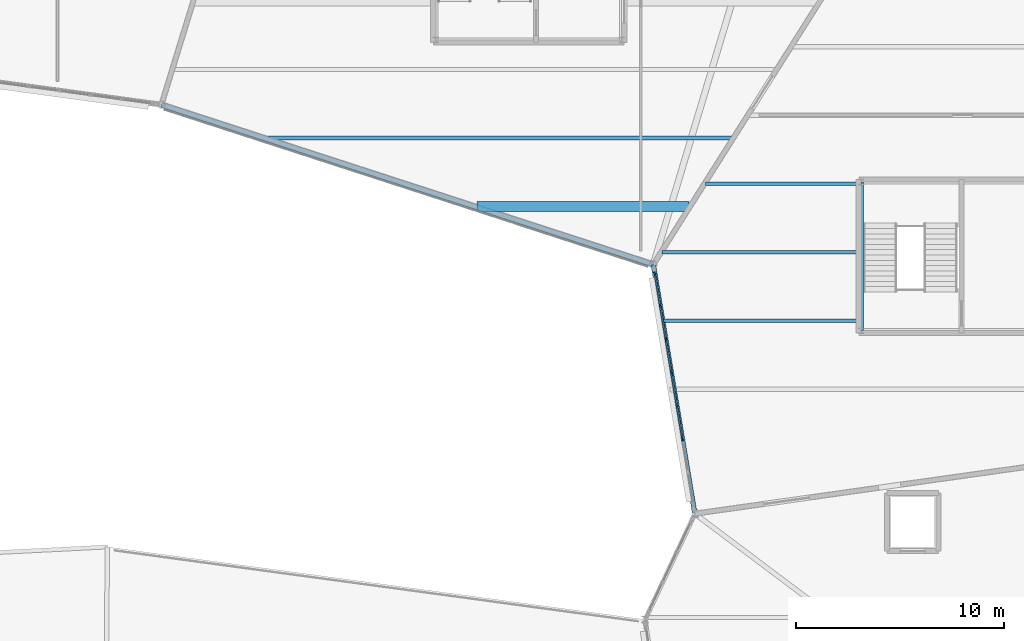
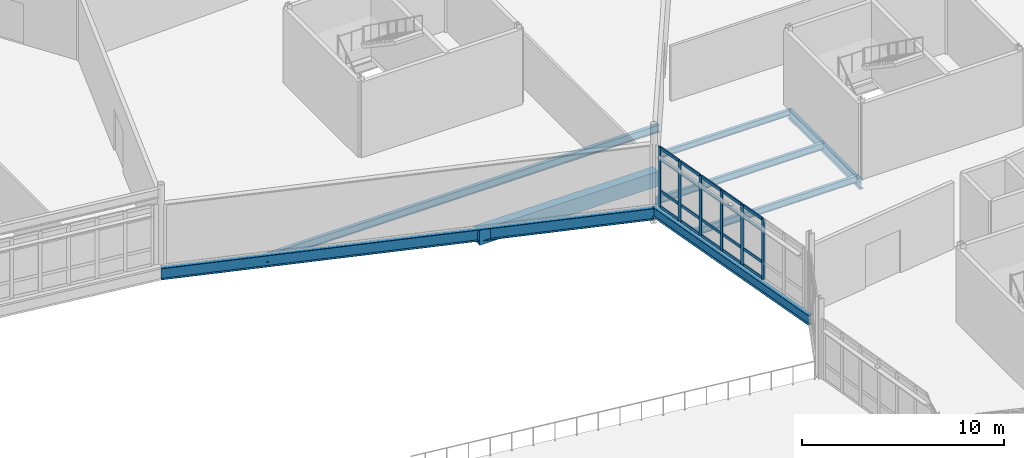
# One storey, part 28 of 114: 26 members, 8 beams, 1 element without a shape of its own.
"""IFC4 building model written with IfcOpenShell, lengths in metres."""

from ifc_helpers import new_model, si_unit, direction, frame, origin, origin_2d, place, context, subcontext, project, spatial, rectangle, i_section, extrude, material, material_profile, profile_set, type_object, element, aggregate, save


model = new_model("IFC4")

# Units and contexts
model_context = context("Model", 3, precision=1e-05, world=origin(), true_north=direction((0.0, 1.0)))
body_context = subcontext(model_context, "Body", "Model", "MODEL_VIEW")
ifc_project = project(units=[si_unit("LENGTHUNIT", "METRE"), si_unit("AREAUNIT", "SQUARE_METRE"), si_unit("VOLUMEUNIT", "CUBIC_METRE"), si_unit("PLANEANGLEUNIT", "RADIAN"), si_unit("MASSUNIT", "GRAM", prefix="KILO")], contexts=[model_context])

# Site, building, storey
site_placement = place(None, origin())
site = spatial("IfcSite", under=ifc_project, at=site_placement, CompositionType="ELEMENT")
building_placement = place(site_placement, origin())
building = spatial("IfcBuilding", under=site, at=building_placement, Name="Tameran Prism Museum", CompositionType="ELEMENT")
storey_placement = place(building_placement, frame((0.0, 0.0, 10.199951171875)))
storey = spatial("IfcBuildingStorey", under=building, at=storey_placement, Name="L02", CompositionType="ELEMENT", Elevation=10.199951171875)

# Beams
ifc_material_1 = material(Name="Steel Grade 300PLUS (300 MPa)", Category="steel")
ifc_material_profile_1 = material_profile(ifc_material_1, i_section(OverallWidth=0.172119140625, OverallDepth=0.35888671875, WebThickness=0.008056640625, FlangeThickness=0.012939453125, FilletRadius=0.011474609375, at=origin_2d()))
ifc_profile_set_1 = profile_set([ifc_material_profile_1])
beam_type_1 = type_object("IfcBeamType", Name="BM-J360A", PredefinedType="JOIST", material=ifc_profile_set_1)
beam_1_placement = place(storey_placement, frame((52.513916015625, 60.5, -0.37939453125), z_axis=(1.0, 0.0, 0.0), x_axis=(0.0, 1.0, 0.0)))
element("IfcBeam", 1, at=beam_1_placement, inside=storey, type_object=beam_type_1, Name="Floor Beam BM-0867", PredefinedType="JOIST", context=body_context, shape_type="SweptSolid", body=[
    extrude(i_section(OverallWidth=0.172119140625, OverallDepth=0.35888671875, WebThickness=0.008056640625, FlangeThickness=0.012939453125, FilletRadius=0.011474609375, at=origin_2d()), origin(), (0.0, 0.0, 1.0), 7.506103515625),
])
ifc_material_2 = material(Name="Steel Grade 300PLUS (300 MPa)", Category="steel")
ifc_material_profile_2 = material_profile(ifc_material_2, i_section(OverallWidth=0.177978515625, OverallDepth=0.403076171875, WebThickness=0.007568359375, FlangeThickness=0.010986328125, FilletRadius=0.011474609375, at=origin_2d()))
ifc_profile_set_2 = profile_set([ifc_material_profile_2])
beam_type_2 = type_object("IfcBeamType", Name="BM-J410B", PredefinedType="JOIST", material=ifc_profile_set_2)
beam_2_placement = place(storey_placement, frame((50.490966796875, 53.89990234375, -0.4013671875), z_axis=(1.0, 0.0, 0.0), x_axis=(0.0, 1.0, 0.0)))
element("IfcBeam", 2, at=beam_2_placement, inside=storey, type_object=beam_type_2, Name="Floor Beam BM-0863", PredefinedType="JOIST", context=body_context, shape_type="SweptSolid", body=[
    extrude(i_section(OverallWidth=0.177978515625, OverallDepth=0.403076171875, WebThickness=0.007568359375, FlangeThickness=0.010986328125, FilletRadius=0.011474609375, at=origin_2d()), origin(), (0.0, 0.0, 1.0), 9.529052734375),
])
beam_3_placement = place(storey_placement, frame((50.427001953125, 57.199951171875, -0.4013671875), z_axis=(1.0, 0.0, 0.0), x_axis=(0.0, 1.0, 0.0)))
element("IfcBeam", 3, at=beam_3_placement, inside=storey, type_object=beam_type_2, Name="Floor Beam BM-0865", PredefinedType="JOIST", context=body_context, shape_type="SweptSolid", body=[
    extrude(i_section(OverallWidth=0.177978515625, OverallDepth=0.403076171875, WebThickness=0.007568359375, FlangeThickness=0.010986328125, FilletRadius=0.011474609375, at=origin_2d()), origin(), (0.0, 0.0, 1.0), 9.593017578125),
])
ifc_material_3 = material(Name="Steel Grade 300PLUS (300 MPa)", Category="steel")
ifc_material_profile_3 = material_profile(ifc_material_3, i_section(OverallWidth=0.19091796875, OverallDepth=0.4599609375, WebThickness=0.010009765625, FlangeThickness=0.01611328125, FilletRadius=0.011474609375, at=origin_2d()))
ifc_profile_set_3 = profile_set([ifc_material_profile_3])
beam_type_3 = type_object("IfcBeamType", Name="BM-J460A", PredefinedType="JOIST", material=ifc_profile_set_3)
beam_4_placement = place(storey_placement, frame((31.35400390625, 62.699951171875, -0.489990234375), z_axis=(1.0, 0.0, 0.0), x_axis=(0.0, 1.0, 0.0)))
element("IfcBeam", 4, at=beam_4_placement, inside=storey, type_object=beam_type_3, Name="Floor Beam BM-0906", PredefinedType="JOIST", context=body_context, shape_type="SweptSolid", body=[
    extrude(i_section(OverallWidth=0.19091796875, OverallDepth=0.4599609375, WebThickness=0.010009765625, FlangeThickness=0.01611328125, FilletRadius=0.011474609375, at=origin_2d()), origin(), (0.0, 0.0, 1.0), 22.45703125),
])
ifc_material_4 = material(Name="Concrete N40 (40 MPa)", Category="concrete")
ifc_material_profile_4 = material_profile(ifc_material_4, rectangle(XDim=0.5, YDim=0.89990234375, at=origin_2d()))
ifc_profile_set_4 = profile_set([ifc_material_profile_4])
beam_type_4 = type_object("IfcBeamType", Name="BM-RC900", PredefinedType="BEAM", material=ifc_profile_set_4)
beam_5_placement = place(storey_placement, frame((41.510986328125, 59.39990234375, -0.7099609375), z_axis=(1.0, 0.0, 0.0), x_axis=(0.0, 1.0, 0.0)))
element("IfcBeam", 5, at=beam_5_placement, inside=storey, type_object=beam_type_4, Name="Floor Beam BM-0905", PredefinedType="BEAM", context=body_context, shape_type="SweptSolid", body=[
    extrude(rectangle(XDim=0.5, YDim=0.89990234375, at=origin_2d()), origin(), (0.0, 0.0, 1.0), 10.213134765625),
])
ifc_material_5 = material(Name="Steel Grade 300PLUS (300 MPa)", Category="steel")
ifc_material_profile_5 = material_profile(ifc_material_5, i_section(OverallWidth=0.208984375, OverallDepth=0.528076171875, WebThickness=0.009521484375, FlangeThickness=0.01318359375, FilletRadius=0.013916015625, at=origin_2d()))
ifc_profile_set_5 = profile_set([ifc_material_profile_5])
beam_type_5 = type_object("IfcBeamType", Name="BM-SP530B", PredefinedType="SPANDREL", material=ifc_profile_set_5)
beam_6_placement = place(storey_placement, frame((60.02001953125, 60.580078125, -0.50390625), z_axis=(0.0, -1.0, 0.0), x_axis=(1.0, 0.0, 0.0)))
element("IfcBeam", 6, at=beam_6_placement, inside=storey, type_object=beam_type_5, Name="Core Ring Beam CTB-0776", PredefinedType="SPANDREL", context=body_context, shape_type="SweptSolid", body=[
    extrude(i_section(OverallWidth=0.208984375, OverallDepth=0.528076171875, WebThickness=0.009521484375, FlangeThickness=0.01318359375, FilletRadius=0.013916015625, at=origin_2d()), origin(), (0.0, 0.0, 1.0), 7.16015625),
])
ifc_material_6 = material(Name="Steel Grade 300PLUS (300 MPa)", Category="steel")
ifc_material_profile_6 = material_profile(ifc_material_6, i_section(OverallWidth=0.22802734375, OverallDepth=0.60205078125, WebThickness=0.010498046875, FlangeThickness=0.014892578125, FilletRadius=0.013916015625, at=origin_2d()))
ifc_profile_set_6 = profile_set([ifc_material_profile_6])
beam_type_6 = type_object("IfcBeamType", Name="BM-SP610", PredefinedType="SPANDREL", material=ifc_profile_set_6)
beam_7_placement = place(storey_placement, frame((50.0, 56.60009765625, -0.5009765625), z_axis=(0.164398987305, -0.986393923832, 0.0), x_axis=(0.986393923832, 0.164398987305, 0.0)))
element("IfcBeam", 7, at=beam_7_placement, inside=storey, type_object=beam_type_6, Name="Perimeter Spandrel SP-0690", PredefinedType="SPANDREL", context=body_context, shape_type="SweptSolid", body=[
    extrude(i_section(OverallWidth=0.22802734375, OverallDepth=0.60205078125, WebThickness=0.010498046875, FlangeThickness=0.014892578125, FilletRadius=0.013916015625, at=origin_2d()), origin(), (0.0, 0.0, 1.0), 12.16552734375),
])
ifc_material_7 = material(Name="Steel Grade 350 (350 MPa)", Category="steel")
ifc_material_profile_7 = material_profile(ifc_material_7, i_section(OverallWidth=0.25, OverallDepth=0.699951171875, WebThickness=0.010009765625, FlangeThickness=0.02001953125, at=origin_2d()))
ifc_profile_set_7 = profile_set([ifc_material_profile_7])
beam_type_7 = type_object("IfcBeamType", Name="BM-SP700", PredefinedType="SPANDREL", material=ifc_profile_set_7)
beam_8_placement = place(storey_placement, frame((26.300048828125, 64.300048828125, -0.60986328125), z_axis=(0.951063943279, -0.308994135535, 0.0), x_axis=(0.308994135535, 0.951063943279, 0.0)))
element("IfcBeam", 8, at=beam_8_placement, inside=storey, type_object=beam_type_7, Name="Perimeter Spandrel SP-0732", PredefinedType="SPANDREL", context=body_context, shape_type="SweptSolid", body=[
    extrude(i_section(OverallWidth=0.25, OverallDepth=0.699951171875, WebThickness=0.010009765625, FlangeThickness=0.02001953125, at=origin_2d()), origin(), (0.0, 0.0, 1.0), 24.91943359375),
])

# Curtain wall, members
ifc_material_8 = material(Name="Anodised Aluminium 6063-T6 and Cyclone Solar Glass", Category="aluminium")
curtain_wall_type = type_object("IfcCurtainWallType", Name="CW-FAC-1135x362", PredefinedType="USERDEFINED", material=ifc_material_8)
curtain_wall_placement = place(storey_placement, origin())
curtain_wall = element("IfcCurtainWall", 9, at=curtain_wall_placement, inside=storey, type_object=curtain_wall_type, Name="Unitised Curtain Wall CW-113", ObjectType="UNITISED CURTAIN WALL", PredefinedType="USERDEFINED")
ifc_material_9 = material(Name="Anodised Aluminium Alloy 6063-T6", Category="aluminium")
ifc_material_profile_8 = material_profile(ifc_material_9, rectangle(XDim=0.074951171875, YDim=0.199951171875, at=origin_2d()))
ifc_profile_set_8 = profile_set([ifc_material_profile_8])
member_type_1 = type_object("IfcMemberType", Name="CW-MUL-C", PredefinedType="MULLION", material=ifc_profile_set_8)
member_1_placement = place(storey_placement, frame((51.3994140625, 48.20166015625, 0.0), z_axis=(0.0, 0.0, 1.0), x_axis=(-0.986412973539, -0.164284648199, 0.0)))
member_1 = element("IfcMember", 10, at=member_1_placement, type_object=member_type_1, Name="CW-113 mullion 3", PredefinedType="MULLION", context=body_context, shape_type="SweptSolid", body=[
    extrude(rectangle(XDim=0.074951171875, YDim=0.199951171875, at=origin_2d()), origin(), (0.0, 0.0, 1.0), 3.6201171875),
])
member_2_placement = place(storey_placement, frame((51.133056640625, 49.800537109375, 0.0), z_axis=(0.0, 0.0, 1.0), x_axis=(-0.986412973539, -0.164284648199, 0.0)))
member_2 = element("IfcMember", 11, at=member_2_placement, type_object=member_type_1, Name="CW-113 mullion 4", PredefinedType="MULLION", context=body_context, shape_type="SweptSolid", body=[
    extrude(rectangle(XDim=0.074951171875, YDim=0.199951171875, at=origin_2d()), origin(), (0.0, 0.0, 1.0), 3.6201171875),
])
member_3_placement = place(storey_placement, frame((50.866943359375, 51.3994140625, 0.0), z_axis=(0.0, 0.0, 1.0), x_axis=(-0.986412973539, -0.164284648199, 0.0)))
member_3 = element("IfcMember", 12, at=member_3_placement, type_object=member_type_1, Name="CW-113 mullion 5", PredefinedType="MULLION", context=body_context, shape_type="SweptSolid", body=[
    extrude(rectangle(XDim=0.074951171875, YDim=0.199951171875, at=origin_2d()), origin(), (0.0, 0.0, 1.0), 3.6201171875),
])
member_4_placement = place(storey_placement, frame((50.6005859375, 52.998291015625, 0.0), z_axis=(0.0, 0.0, 1.0), x_axis=(-0.986412973539, -0.164284648199, 0.0)))
member_4 = element("IfcMember", 13, at=member_4_placement, type_object=member_type_1, Name="CW-113 mullion 6", PredefinedType="MULLION", context=body_context, shape_type="SweptSolid", body=[
    extrude(rectangle(XDim=0.074951171875, YDim=0.199951171875, at=origin_2d()), origin(), (0.0, 0.0, 1.0), 3.6201171875),
])
member_5_placement = place(storey_placement, frame((50.334228515625, 54.59716796875, 0.0), z_axis=(0.0, 0.0, 1.0), x_axis=(-0.986412973539, -0.164284648199, 0.0)))
member_5 = element("IfcMember", 14, at=member_5_placement, type_object=member_type_1, Name="CW-113 mullion 7", PredefinedType="MULLION", context=body_context, shape_type="SweptSolid", body=[
    extrude(rectangle(XDim=0.074951171875, YDim=0.199951171875, at=origin_2d()), origin(), (0.0, 0.0, 1.0), 3.6201171875),
])
member_6_placement = place(storey_placement, frame((50.07421875, 56.158935546875, 0.0), z_axis=(0.0, 0.0, 1.0), x_axis=(-0.986412973539, -0.164284648199, 0.0)))
member_6 = element("IfcMember", 15, at=member_6_placement, type_object=member_type_1, Name="CW-113 mullion 8", PredefinedType="MULLION", context=body_context, shape_type="SweptSolid", body=[
    extrude(rectangle(XDim=0.074951171875, YDim=0.199951171875, at=origin_2d()), origin(), (0.0, 0.0, 1.0), 3.6201171875),
])
ifc_material_10 = material(Name="Anodised Aluminium Alloy 6063-T6", Category="aluminium")
ifc_material_profile_9 = material_profile(ifc_material_10, rectangle(XDim=0.074951171875, YDim=0.175048828125, at=origin_2d()))
ifc_profile_set_9 = profile_set([ifc_material_profile_9])
member_type_2 = type_object("IfcMemberType", Name="CW-TRN-C", PredefinedType="USERDEFINED", material=ifc_profile_set_9)
member_7_placement = place(storey_placement, frame((51.393310546875, 48.23876953125, 0.03759765625), z_axis=(-0.164245325443, 0.986419521842, 0.0), x_axis=(-0.986419521842, -0.164245325443, 0.0)))
member_7 = element("IfcMember", 16, at=member_7_placement, type_object=member_type_2, Name="CW-113 transom 3.1", ObjectType="TRANSOM", PredefinedType="USERDEFINED", context=body_context, shape_type="SweptSolid", body=[
    extrude(rectangle(XDim=0.074951171875, YDim=0.175048828125, at=origin_2d()), origin(), (0.0, 0.0, 1.0), 1.5458984375),
])
member_8_placement = place(storey_placement, frame((51.393310546875, 48.23876953125, 1.0), z_axis=(-0.164245325443, 0.986419521842, 0.0), x_axis=(-0.986419521842, -0.164245325443, 0.0)))
member_8 = element("IfcMember", 17, at=member_8_placement, type_object=member_type_2, Name="CW-113 transom 3.2", ObjectType="TRANSOM", PredefinedType="USERDEFINED", context=body_context, shape_type="SweptSolid", body=[
    extrude(rectangle(XDim=0.074951171875, YDim=0.175048828125, at=origin_2d()), origin(), (0.0, 0.0, 1.0), 1.5458984375),
])
member_9_placement = place(storey_placement, frame((51.393310546875, 48.23876953125, 2.93994140625), z_axis=(-0.164245325443, 0.986419521842, 0.0), x_axis=(-0.986419521842, -0.164245325443, 0.0)))
member_9 = element("IfcMember", 18, at=member_9_placement, type_object=member_type_2, Name="CW-113 transom 3.3", ObjectType="TRANSOM", PredefinedType="USERDEFINED", context=body_context, shape_type="SweptSolid", body=[
    extrude(rectangle(XDim=0.074951171875, YDim=0.175048828125, at=origin_2d()), origin(), (0.0, 0.0, 1.0), 1.5458984375),
])
member_10_placement = place(storey_placement, frame((51.393310546875, 48.23876953125, 3.58251953125), z_axis=(-0.164245325443, 0.986419521842, 0.0), x_axis=(-0.986419521842, -0.164245325443, 0.0)))
member_10 = element("IfcMember", 19, at=member_10_placement, type_object=member_type_2, Name="CW-113 transom 3.4", ObjectType="TRANSOM", PredefinedType="USERDEFINED", context=body_context, shape_type="SweptSolid", body=[
    extrude(rectangle(XDim=0.074951171875, YDim=0.175048828125, at=origin_2d()), origin(), (0.0, 0.0, 1.0), 1.5458984375),
])
member_11_placement = place(storey_placement, frame((51.126953125, 49.837646484375, 0.03759765625), z_axis=(-0.164245325443, 0.986419521842, 0.0), x_axis=(-0.986419521842, -0.164245325443, 0.0)))
member_11 = element("IfcMember", 20, at=member_11_placement, type_object=member_type_2, Name="CW-113 transom 4.1", ObjectType="TRANSOM", PredefinedType="USERDEFINED", context=body_context, shape_type="SweptSolid", body=[
    extrude(rectangle(XDim=0.074951171875, YDim=0.175048828125, at=origin_2d()), origin(), (0.0, 0.0, 1.0), 1.5458984375),
])
member_12_placement = place(storey_placement, frame((51.126953125, 49.837646484375, 1.0), z_axis=(-0.164245325443, 0.986419521842, 0.0), x_axis=(-0.986419521842, -0.164245325443, 0.0)))
member_12 = element("IfcMember", 21, at=member_12_placement, type_object=member_type_2, Name="CW-113 transom 4.2", ObjectType="TRANSOM", PredefinedType="USERDEFINED", context=body_context, shape_type="SweptSolid", body=[
    extrude(rectangle(XDim=0.074951171875, YDim=0.175048828125, at=origin_2d()), origin(), (0.0, 0.0, 1.0), 1.5458984375),
])
member_13_placement = place(storey_placement, frame((51.126953125, 49.837646484375, 2.93994140625), z_axis=(-0.164245325443, 0.986419521842, 0.0), x_axis=(-0.986419521842, -0.164245325443, 0.0)))
member_13 = element("IfcMember", 22, at=member_13_placement, type_object=member_type_2, Name="CW-113 transom 4.3", ObjectType="TRANSOM", PredefinedType="USERDEFINED", context=body_context, shape_type="SweptSolid", body=[
    extrude(rectangle(XDim=0.074951171875, YDim=0.175048828125, at=origin_2d()), origin(), (0.0, 0.0, 1.0), 1.5458984375),
])
member_14_placement = place(storey_placement, frame((51.126953125, 49.837646484375, 3.58251953125), z_axis=(-0.164245325443, 0.986419521842, 0.0), x_axis=(-0.986419521842, -0.164245325443, 0.0)))
member_14 = element("IfcMember", 23, at=member_14_placement, type_object=member_type_2, Name="CW-113 transom 4.4", ObjectType="TRANSOM", PredefinedType="USERDEFINED", context=body_context, shape_type="SweptSolid", body=[
    extrude(rectangle(XDim=0.074951171875, YDim=0.175048828125, at=origin_2d()), origin(), (0.0, 0.0, 1.0), 1.5458984375),
])
member_15_placement = place(storey_placement, frame((50.860595703125, 51.4365234375, 0.03759765625), z_axis=(-0.164270916079, 0.986415260492, 0.0), x_axis=(-0.986415260492, -0.164270916079, 0.0)))
member_15 = element("IfcMember", 24, at=member_15_placement, type_object=member_type_2, Name="CW-113 transom 5.1", ObjectType="TRANSOM", PredefinedType="USERDEFINED", context=body_context, shape_type="SweptSolid", body=[
    extrude(rectangle(XDim=0.074951171875, YDim=0.175048828125, at=origin_2d()), origin(), (0.0, 0.0, 1.0), 1.545654296875),
])
member_16_placement = place(storey_placement, frame((50.860595703125, 51.4365234375, 1.0), z_axis=(-0.164270916079, 0.986415260492, 0.0), x_axis=(-0.986415260492, -0.164270916079, 0.0)))
member_16 = element("IfcMember", 25, at=member_16_placement, type_object=member_type_2, Name="CW-113 transom 5.2", ObjectType="TRANSOM", PredefinedType="USERDEFINED", context=body_context, shape_type="SweptSolid", body=[
    extrude(rectangle(XDim=0.074951171875, YDim=0.175048828125, at=origin_2d()), origin(), (0.0, 0.0, 1.0), 1.545654296875),
])
member_17_placement = place(storey_placement, frame((50.860595703125, 51.4365234375, 2.93994140625), z_axis=(-0.164270916079, 0.986415260492, 0.0), x_axis=(-0.986415260492, -0.164270916079, 0.0)))
member_17 = element("IfcMember", 26, at=member_17_placement, type_object=member_type_2, Name="CW-113 transom 5.3", ObjectType="TRANSOM", PredefinedType="USERDEFINED", context=body_context, shape_type="SweptSolid", body=[
    extrude(rectangle(XDim=0.074951171875, YDim=0.175048828125, at=origin_2d()), origin(), (0.0, 0.0, 1.0), 1.545654296875),
])
member_18_placement = place(storey_placement, frame((50.860595703125, 51.4365234375, 3.58251953125), z_axis=(-0.164270916079, 0.986415260492, 0.0), x_axis=(-0.986415260492, -0.164270916079, 0.0)))
member_18 = element("IfcMember", 27, at=member_18_placement, type_object=member_type_2, Name="CW-113 transom 5.4", ObjectType="TRANSOM", PredefinedType="USERDEFINED", context=body_context, shape_type="SweptSolid", body=[
    extrude(rectangle(XDim=0.074951171875, YDim=0.175048828125, at=origin_2d()), origin(), (0.0, 0.0, 1.0), 1.545654296875),
])
member_19_placement = place(storey_placement, frame((50.594482421875, 53.03515625, 0.03759765625), z_axis=(-0.164398987305, 0.986393923832, 0.0), x_axis=(-0.986393923832, -0.164398987305, 0.0)))
member_19 = element("IfcMember", 28, at=member_19_placement, type_object=member_type_2, Name="CW-113 transom 6.1", ObjectType="TRANSOM", PredefinedType="USERDEFINED", context=body_context, shape_type="SweptSolid", body=[
    extrude(rectangle(XDim=0.074951171875, YDim=0.175048828125, at=origin_2d()), origin(), (0.0, 0.0, 1.0), 1.5458984375),
])
member_20_placement = place(storey_placement, frame((50.594482421875, 53.03515625, 1.0), z_axis=(-0.164398987305, 0.986393923832, 0.0), x_axis=(-0.986393923832, -0.164398987305, 0.0)))
member_20 = element("IfcMember", 29, at=member_20_placement, type_object=member_type_2, Name="CW-113 transom 6.2", ObjectType="TRANSOM", PredefinedType="USERDEFINED", context=body_context, shape_type="SweptSolid", body=[
    extrude(rectangle(XDim=0.074951171875, YDim=0.175048828125, at=origin_2d()), origin(), (0.0, 0.0, 1.0), 1.5458984375),
])
member_21_placement = place(storey_placement, frame((50.594482421875, 53.03515625, 2.93994140625), z_axis=(-0.164398987305, 0.986393923832, 0.0), x_axis=(-0.986393923832, -0.164398987305, 0.0)))
member_21 = element("IfcMember", 30, at=member_21_placement, type_object=member_type_2, Name="CW-113 transom 6.3", ObjectType="TRANSOM", PredefinedType="USERDEFINED", context=body_context, shape_type="SweptSolid", body=[
    extrude(rectangle(XDim=0.074951171875, YDim=0.175048828125, at=origin_2d()), origin(), (0.0, 0.0, 1.0), 1.5458984375),
])
member_22_placement = place(storey_placement, frame((50.594482421875, 53.03515625, 3.58251953125), z_axis=(-0.164398987305, 0.986393923832, 0.0), x_axis=(-0.986393923832, -0.164398987305, 0.0)))
member_22 = element("IfcMember", 31, at=member_22_placement, type_object=member_type_2, Name="CW-113 transom 6.4", ObjectType="TRANSOM", PredefinedType="USERDEFINED", context=body_context, shape_type="SweptSolid", body=[
    extrude(rectangle(XDim=0.074951171875, YDim=0.175048828125, at=origin_2d()), origin(), (0.0, 0.0, 1.0), 1.5458984375),
])
member_23_placement = place(storey_placement, frame((50.328125, 54.634033203125, 0.03759765625), z_axis=(-0.164267764098, 0.986415785396, 0.0), x_axis=(-0.986415785396, -0.164267764098, 0.0)))
member_23 = element("IfcMember", 32, at=member_23_placement, type_object=member_type_2, Name="CW-113 transom 7.1", ObjectType="TRANSOM", PredefinedType="USERDEFINED", context=body_context, shape_type="SweptSolid", body=[
    extrude(rectangle(XDim=0.074951171875, YDim=0.175048828125, at=origin_2d()), origin(), (0.0, 0.0, 1.0), 1.508544921875),
])
member_24_placement = place(storey_placement, frame((50.328125, 54.634033203125, 1.0), z_axis=(-0.164267764098, 0.986415785396, 0.0), x_axis=(-0.986415785396, -0.164267764098, 0.0)))
member_24 = element("IfcMember", 33, at=member_24_placement, type_object=member_type_2, Name="CW-113 transom 7.2", ObjectType="TRANSOM", PredefinedType="USERDEFINED", context=body_context, shape_type="SweptSolid", body=[
    extrude(rectangle(XDim=0.074951171875, YDim=0.175048828125, at=origin_2d()), origin(), (0.0, 0.0, 1.0), 1.508544921875),
])
member_25_placement = place(storey_placement, frame((50.328125, 54.634033203125, 2.93994140625), z_axis=(-0.164267764098, 0.986415785396, 0.0), x_axis=(-0.986415785396, -0.164267764098, 0.0)))
member_25 = element("IfcMember", 34, at=member_25_placement, type_object=member_type_2, Name="CW-113 transom 7.3", ObjectType="TRANSOM", PredefinedType="USERDEFINED", context=body_context, shape_type="SweptSolid", body=[
    extrude(rectangle(XDim=0.074951171875, YDim=0.175048828125, at=origin_2d()), origin(), (0.0, 0.0, 1.0), 1.508544921875),
])
member_26_placement = place(storey_placement, frame((50.328125, 54.634033203125, 3.58251953125), z_axis=(-0.164267764098, 0.986415785396, 0.0), x_axis=(-0.986415785396, -0.164267764098, 0.0)))
member_26 = element("IfcMember", 35, at=member_26_placement, type_object=member_type_2, Name="CW-113 transom 7.4", ObjectType="TRANSOM", PredefinedType="USERDEFINED", context=body_context, shape_type="SweptSolid", body=[
    extrude(rectangle(XDim=0.074951171875, YDim=0.175048828125, at=origin_2d()), origin(), (0.0, 0.0, 1.0), 1.508544921875),
])
aggregate(curtain_wall, [member_1, member_2, member_3, member_4, member_5, member_6, member_7, member_8, member_9, member_10, member_11, member_12, member_13, member_14, member_15, member_16, member_17, member_18, member_19, member_20, member_21, member_22, member_23, member_24, member_25, member_26])

save(model, "model.ifc")
